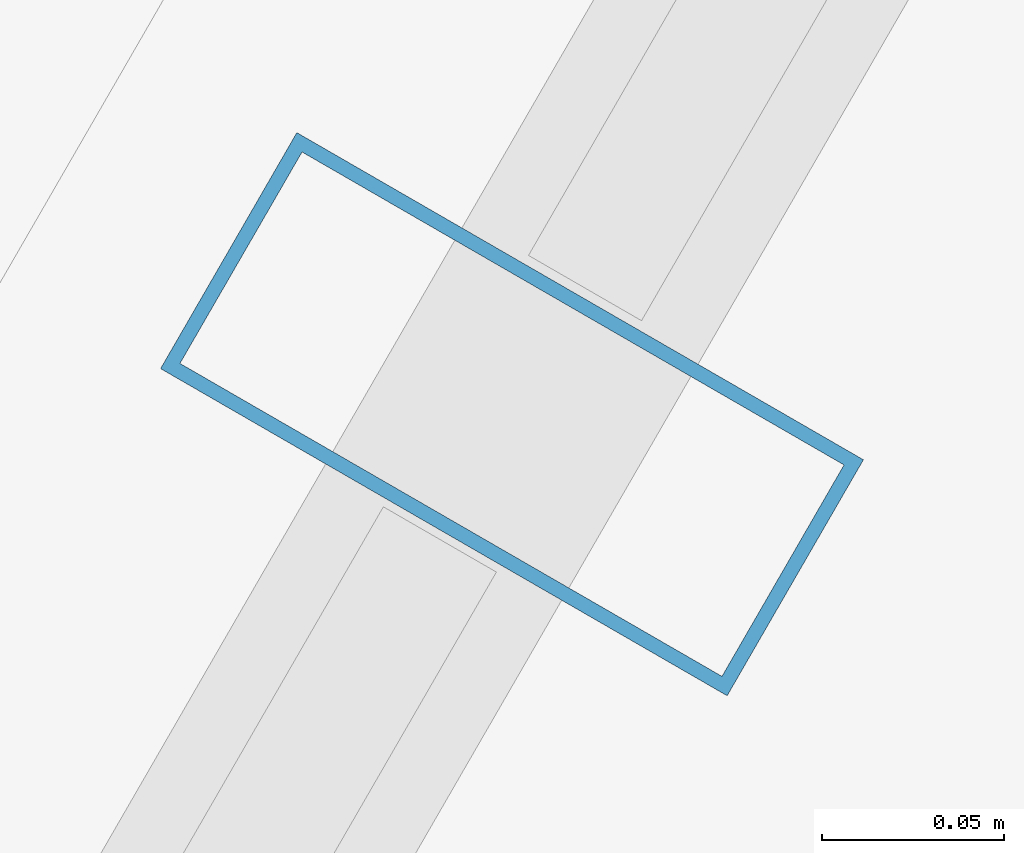
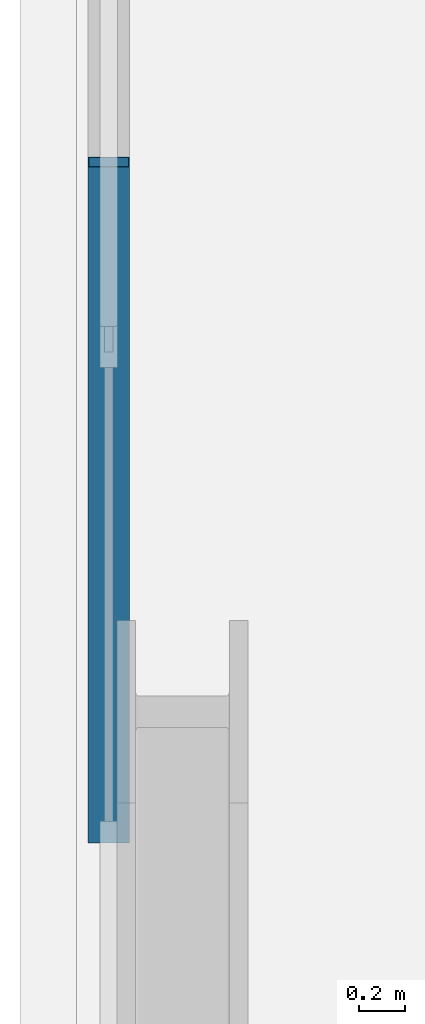
# One storey, part 13 of 32: 1 member, 1 element without a shape of its own.
"""IFC4 building model written with IfcOpenShell, lengths in metres."""

from ifc_helpers import new_model, si_unit, direction, frame, origin, origin_2d, place, context, subcontext, project, spatial, hollow_rectangle, extrude, material, layer, layer_set, material_profile, profile_set, type_object, element, aggregate, save


model = new_model("IFC4")

# Units and contexts
model_context = context("Model", 3, precision=1e-05, world=origin(), true_north=direction((0.0, 1.0)))
body_context = subcontext(model_context, "Body", "Model", "MODEL_VIEW")
ifc_project = project(units=[si_unit("LENGTHUNIT", "METRE"), si_unit("AREAUNIT", "SQUARE_METRE"), si_unit("VOLUMEUNIT", "CUBIC_METRE"), si_unit("PLANEANGLEUNIT", "RADIAN"), si_unit("MASSUNIT", "GRAM", prefix="KILO")], contexts=[model_context])

# Site, building, storey
site_placement = place(None, origin())
site = spatial("IfcSite", under=ifc_project, at=site_placement, CompositionType="ELEMENT")
building_placement = place(site_placement, origin())
building = spatial("IfcBuilding", under=site, at=building_placement, Name="Ndaravel Arena Tower", CompositionType="ELEMENT")
storey_placement = place(building_placement, frame((0.0, 0.0, 58.800048828125)))
storey = spatial("IfcBuildingStorey", under=building, at=storey_placement, Name="L12", CompositionType="ELEMENT", Elevation=58.800048828125)

# Curtain wall, member
ifc_material_1 = material(Name="Aluminium", Category="aluminium")
ifc_layer = layer(ifc_material_1, 0.179931640625)
ifc_layer_set = layer_set([ifc_layer], Name="Aluminium")
curtain_wall_type = type_object("IfcCurtainWallType", Name="CW-SYS-03", PredefinedType="NOTDEFINED", material=ifc_layer_set)
curtain_wall_placement = place(storey_placement, origin())
curtain_wall = element("IfcCurtainWall", 1, at=curtain_wall_placement, inside=storey, type_object=curtain_wall_type, Name="L12 Faceted Crystal Curtain Wall CW-L12-E05", PredefinedType="NOTDEFINED")
ifc_material_2 = material(Name="Aluminium", Category="aluminium")
ifc_material_profile = material_profile(ifc_material_2, hollow_rectangle(XDim=0.074951171875, YDim=0.179931640625, WallThickness=0.00390625, at=origin_2d()), Name="CW MULLION 75x180x4")
ifc_profile_set = profile_set([ifc_material_profile], Name="Aluminium")
member_type = type_object("IfcMemberType", Name="MEM-CW-MUL180", PredefinedType="MULLION", material=ifc_profile_set)
member_placement = place(storey_placement, frame((27.500244140625, 34.16748046875, 0.0), z_axis=(0.0, 0.0, 1.0), x_axis=(-0.5, -0.866025403784, 0.0)))
member = element("IfcMember", 2, at=member_placement, type_object=member_type, Name="CW-L12-E05 Mullion 03", PredefinedType="MULLION", context=body_context, shape_type="SweptSolid", body=[
    extrude(hollow_rectangle(XDim=0.074951171875, YDim=0.179931640625, WallThickness=0.00390625, at=origin_2d()), origin(), (0.0, 0.0, 1.0), 3.579833984375),
])
aggregate(curtain_wall, [member])

save(model, "model.ifc")
